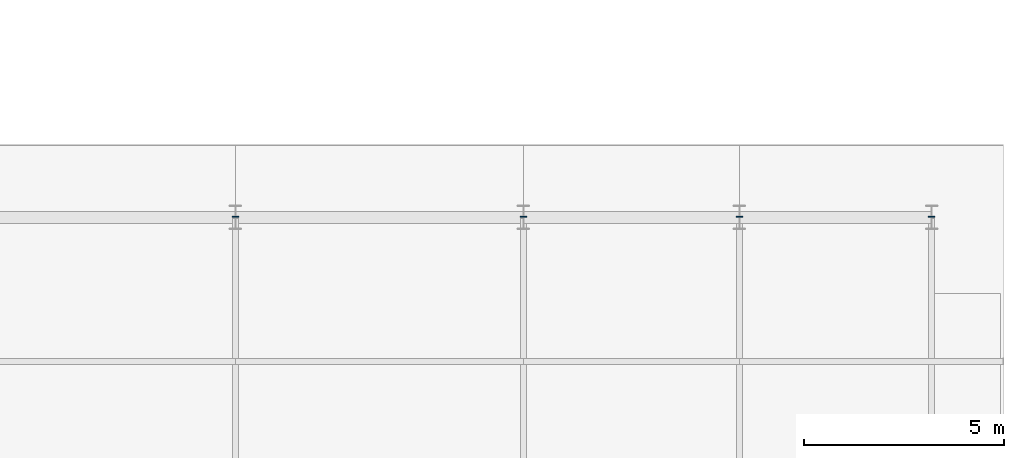
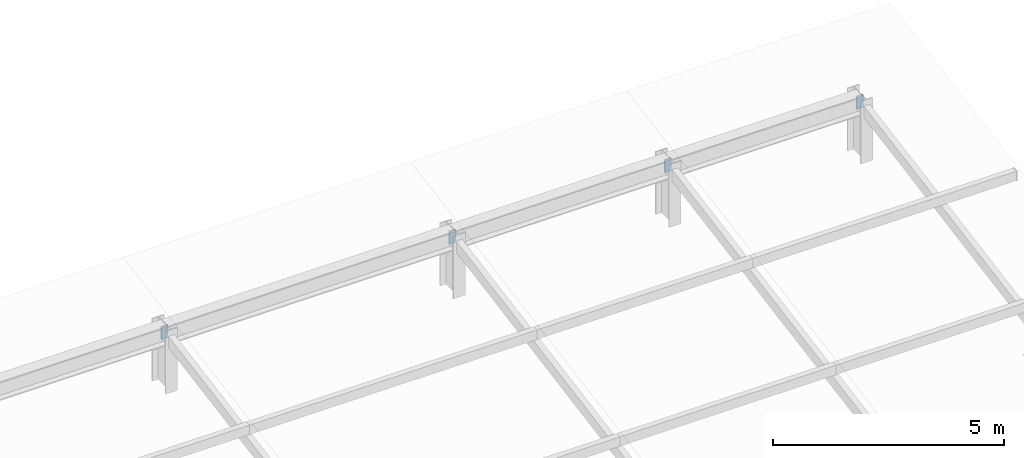
# One storey, part 62 of 63: 8 plates.
"""IFC4 building model written with IfcOpenShell, lengths in metres."""

from ifc_helpers import new_model, si_unit, direction, frame, origin, origin_2d, place, context, subcontext, project, spatial, rectangle, extrude, material, layer, layer_set, type_object, element, save


model = new_model("IFC4")

# Units and contexts
model_context = context("Model", 3, precision=1e-05, world=origin(), true_north=direction((0.0, 1.0)))
body_context = subcontext(model_context, "Body", "Model", "MODEL_VIEW")
ifc_project = project(units=[si_unit("LENGTHUNIT", "METRE"), si_unit("AREAUNIT", "SQUARE_METRE"), si_unit("VOLUMEUNIT", "CUBIC_METRE"), si_unit("PLANEANGLEUNIT", "RADIAN"), si_unit("MASSUNIT", "GRAM", prefix="KILO")], contexts=[model_context])

# Site, building, storey
site_placement = place(None, origin())
site = spatial("IfcSite", under=ifc_project, at=site_placement, CompositionType="ELEMENT")
building_placement = place(site_placement, origin())
building = spatial("IfcBuilding", under=site, at=building_placement, Name="Solvadek Multi-Sports Hall", CompositionType="ELEMENT")
storey_placement = place(building_placement, frame((0.0, 0.0, 19.199951171875)))
storey = spatial("IfcBuildingStorey", under=building, at=storey_placement, Name="RF", CompositionType="ELEMENT", Elevation=19.199951171875)

# Plates
ifc_material = material(Name="Steel E350 (350 MPa)", Category="steel")
ifc_layer = layer(ifc_material, 0.01611328125, Name="Steel E350 (350 MPa)")
ifc_layer_set = layer_set([ifc_layer], Name="Steel E350 (350 MPa)")
plate_type = type_object("IfcPlateType", Name="STR-PLT-CAP16", PredefinedType="USERDEFINED", material=ifc_layer_set)
for number, where, z_axis, x_axis, name in (
    (1, (144.0, 70.803955078125, 1.23828125), (0.0, 0.0, 1.0), (1.0, 0.0, 0.0), "V2 Rafter End Cap Plate #81"),
    (2, (144.0, 70.821044921875, 1.2421875), (0.0, 0.0, 1.0), (1.0, 0.0, 0.0), "V2 Rafter Shoe Cap Plate #82"),
    (3, (151.199951171875, 70.803955078125, 1.23828125), (0.0, 0.0, 1.0), (1.0, 0.0, 0.0), "V2 Rafter End Cap Plate #89"),
    (4, (151.199951171875, 70.821044921875, 1.2421875), (0.0, 0.0, 1.0), (1.0, 0.0, 0.0), "V2 Rafter Shoe Cap Plate #90"),
    (5, (156.60009765625, 70.803955078125, 1.23828125), (0.0, 0.0, 1.0), (1.0, 0.0, 0.0), "V2 Rafter End Cap Plate #105"),
    (6, (156.60009765625, 70.821044921875, 1.2421875), (0.0, 0.0, 1.0), (1.0, 0.0, 0.0), "V2 Rafter Shoe Cap Plate #106"),
    (7, (161.39990234375, 70.803955078125, 1.23828125), (0.0, 0.0, 1.0), (1.0, 0.0, 0.0), "V2 Rafter End Cap Plate #109"),
    (8, (161.39990234375, 70.821044921875, 1.2421875), (0.0, 0.0, 1.0), (1.0, 0.0, 0.0), "V2 Rafter Shoe Cap Plate #110"),
):
    element("IfcPlate", number, at=place(storey_placement, frame(where, z_axis=z_axis, x_axis=x_axis)), inside=storey, type_object=plate_type, Name=name, ObjectType="BASE_PLATE", PredefinedType="USERDEFINED", context=body_context, shape_type="SweptSolid", body=[
        extrude(rectangle(XDim=0.169921875, YDim=0.01611328125, at=origin_2d()), origin(), (0.0, 0.0, 1.0), 0.340087890625),
    ])

save(model, "model.ifc")
